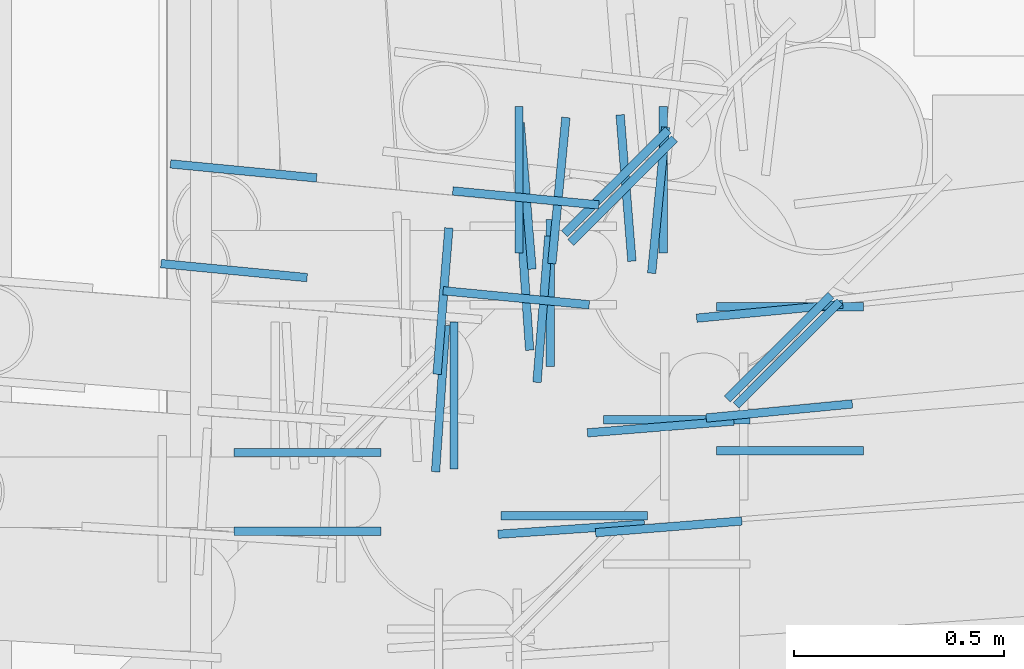
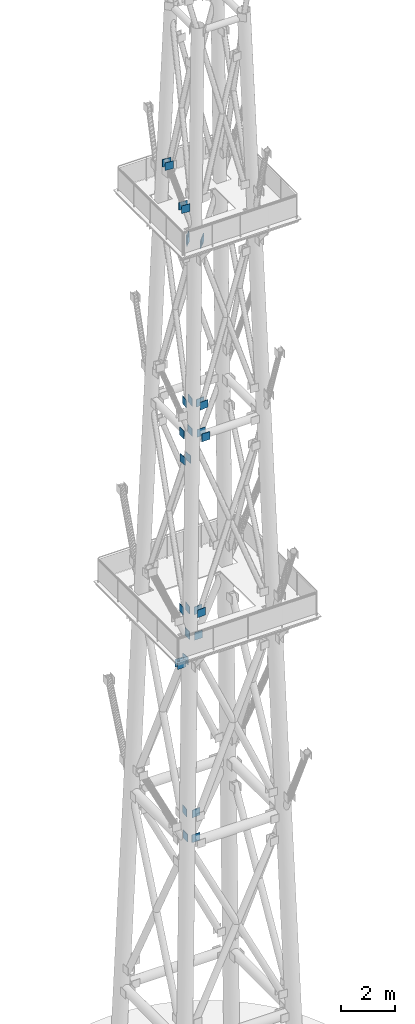
# One storey, part 6 of 25: 31 discrete accessories.
"""IFC4 building model written with IfcOpenShell, lengths in metres."""

from ifc_helpers import new_model, si_unit, direction, frame, origin, origin_2d, place, context, subcontext, project, spatial, rectangle, extrude, element, save


model = new_model("IFC4")

# Units and contexts
model_context = context("Model", 3, precision=1e-05, world=origin(), true_north=direction((0.0, 1.0)))
body_context = subcontext(model_context, "Body", "Model", "MODEL_VIEW")
ifc_project = project(units=[si_unit("LENGTHUNIT", "METRE"), si_unit("AREAUNIT", "SQUARE_METRE"), si_unit("VOLUMEUNIT", "CUBIC_METRE"), si_unit("PLANEANGLEUNIT", "RADIAN"), si_unit("MASSUNIT", "GRAM", prefix="KILO")], contexts=[model_context])

# Site, building, storey
site_placement = place(None, origin())
site = spatial("IfcSite", under=ifc_project, at=site_placement, CompositionType="ELEMENT")
building_placement = place(site_placement, origin())
building = spatial("IfcBuilding", under=site, at=building_placement, Name="Vidyagriha Tower", CompositionType="ELEMENT")
storey_placement = place(building_placement, frame((0.0, 0.0, 318.39990234375)))
storey = spatial("IfcBuildingStorey", under=building, at=storey_placement, Name="RF", CompositionType="ELEMENT", Elevation=318.39990234375)

# Discrete accessories
for number, where, z_axis, x_axis, name in (
    (1, (-1.47998046875, 11.929443359375, 40.650146484375), (0.0, 0.0, 1.0), (0.707106781187, 0.707106781187, 0.0), "End plate ASTM A572 Grade 50 20mm"),
    (2, (-1.070556640625, 11.52001953125, 40.650146484375), (0.0, 0.0, 1.0), (0.707106781187, 0.707106781187, 0.0), "End plate ASTM A572 Grade 50 20mm"),
    (3, (-1.46484375, 11.908447265625, 40.5498046875), (0.0, 0.0, 1.0), (0.707106781187, 0.707106781187, 0.0), "End plate ASTM A572 Grade 50 20mm"),
    (4, (-1.091552734375, 11.53515625, 40.5498046875), (0.0, 0.0, 1.0), (0.707106781187, 0.707106781187, 0.0), "End plate ASTM A572 Grade 50 20mm"),
    (5, (-1.580078125, 11.133056640625, 13.824951171875), (0.0, 0.0, 1.0), (-1.0, 0.0, 0.0), "End plate ASTM A572 Grade 50 20mm"),
    (6, (-1.866943359375, 11.419921875, 13.824951171875), (0.0, 0.0, 1.0), (0.0, -1.0, 0.0), "End plate ASTM A572 Grade 50 20mm"),
    (7, (-1.335693359375, 11.362060546875, 22.824951171875), (0.0, 0.0, 1.0), (-1.0, 0.0, 0.0), "End plate ASTM A572 Grade 50 20mm"),
    (8, (-1.637939453125, 11.664306640625, 22.824951171875), (0.0, 0.0, 1.0), (0.0, -1.0, 0.0), "End plate ASTM A572 Grade 50 20mm"),
    (9, (-1.065673828125, 11.2880859375, 31.824951171875), (0.0, 0.0, 1.0), (-1.0, 0.0, 0.0), "End plate ASTM A572 Grade 50 20mm"),
    (10, (-1.065673828125, 11.632080078125, 31.824951171875), (0.0, 0.0, 1.0), (-1.0, 0.0, 0.0), "End plate ASTM A572 Grade 50 20mm"),
    (11, (-1.367919921875, 11.934326171875, 31.824951171875), (0.0, 0.0, 1.0), (0.0, -1.0, 0.0), "End plate ASTM A572 Grade 50 20mm"),
    (12, (-1.7119140625, 11.934326171875, 31.824951171875), (0.0, 0.0, 1.0), (0.0, -1.0, 0.0), "End plate ASTM A572 Grade 50 20mm"),
    (13, (-1.58740234375, 11.10107421875, 14.988037109375), (0.0, 0.0, 1.0), (-0.997601404512, -0.069220211754, 0.0), "End plate ASTM A572 Grade 50 20mm"),
    (14, (-1.69873046875, 11.70263671875, 21.662109375), (0.0, 0.0, 1.0), (0.069220211754, -0.997601404512, 0.0), "End plate ASTM A572 Grade 50 20mm"),
    (15, (-1.89892578125, 11.41259765625, 14.988037109375), (0.0, 0.0, 1.0), (-0.069244587734, -0.997599712846, 0.0), "End plate ASTM A572 Grade 50 20mm"),
    (16, (-1.35498046875, 11.106689453125, 24.021240234375), (0.0, 0.0, 1.0), (-0.996769493415, -0.080315484172, 0.0), "End plate ASTM A572 Grade 50 20mm"),
    (17, (-1.374267578125, 11.344970703125, 24.021240234375), (0.0, 0.0, 1.0), (-0.996769493415, -0.080315484172, 0.0), "End plate ASTM A572 Grade 50 20mm"),
    (18, (-1.456787109375, 11.914794921875, 30.628662109375), (0.0, 0.0, 1.0), (0.080315484172, -0.996769493415, 0.0), "End plate ASTM A572 Grade 50 20mm"),
    (19, (-1.695068359375, 11.895751953125, 30.628662109375), (0.0, 0.0, 1.0), (0.080315484172, -0.996769493415, 0.0), "End plate ASTM A572 Grade 50 20mm"),
    (20, (-1.655029296875, 11.625732421875, 24.021240234375), (0.0, 0.0, 1.0), (-0.080339839821, -0.99676753064, 0.0), "End plate ASTM A572 Grade 50 20mm"),
    (21, (-1.893310546875, 11.64501953125, 24.021240234375), (0.0, 0.0, 1.0), (-0.080339839821, -0.99676753064, 0.0), "End plate ASTM A572 Grade 50 20mm"),
    (22, (-1.09130859375, 11.383056640625, 33.2255859375), (0.0, 0.0, 1.0), (-0.995415248857, -0.095647699097, 0.0), "End plate ASTM A572 Grade 50 20mm"),
    (23, (-1.1142578125, 11.62109375, 33.2255859375), (0.0, 0.0, 1.0), (-0.995415248857, -0.095647699097, 0.0), "End plate ASTM A572 Grade 50 20mm"),
    (24, (-1.69580078125, 11.89111328125, 42.2255859375), (0.0, 0.0, 1.0), (0.995413913266, -0.095661597706, 0.0), "End plate ASTM A572 Grade 50 20mm"),
    (25, (-1.71875, 11.653076171875, 42.2255859375), (0.0, 0.0, 1.0), (0.995413913266, -0.095661597706, 0.0), "End plate ASTM A572 Grade 50 20mm"),
    (26, (-2.3916015625, 11.7177734375, 44.381103515625), (0.0, 0.0, 1.0), (-0.995413913266, 0.095661597706, 0.0), "End plate ASTM A572 Grade 50 20mm"),
    (27, (-2.368896484375, 11.95556640625, 44.381103515625), (0.0, 0.0, 1.0), (-0.995413913266, 0.095661597706, 0.0), "End plate ASTM A572 Grade 50 20mm"),
    (28, (-1.37890625, 11.8857421875, 33.2255859375), (0.0, 0.0, 1.0), (-0.095647699097, -0.995415248857, 0.0), "End plate ASTM A572 Grade 50 20mm"),
    (29, (-1.616943359375, 11.90869140625, 33.2255859375), (0.0, 0.0, 1.0), (-0.095647699097, -0.995415248857, 0.0), "End plate ASTM A572 Grade 50 20mm"),
):
    element("IfcDiscreteAccessory", number, at=place(storey_placement, frame(where, z_axis=z_axis, x_axis=x_axis)), inside=storey, Name=name, ObjectType="END PLATE", PredefinedType="USERDEFINED", context=body_context, shape_type="SweptSolid", body=[
        extrude(rectangle(XDim=0.35009765625, YDim=0.02001953125, at=origin_2d()), origin(), (0.0, 0.0, 1.0), 0.35009765625),
    ])
for number, where, name in (
    (30, (-2.216552734375, 11.283935546875, 21.96337890625), "End plate ASTM A572 Grade 50 20mm"),
    (31, (-2.216552734375, 11.095947265625, 21.96337890625), "End plate ASTM A572 Grade 50 20mm"),
):
    element("IfcDiscreteAccessory", number, at=place(storey_placement, frame(where)), inside=storey, Name=name, ObjectType="END PLATE", PredefinedType="USERDEFINED", context=body_context, shape_type="SweptSolid", body=[
        extrude(rectangle(XDim=0.35009765625, YDim=0.02001953125, at=origin_2d()), origin(), (0.0, 0.0, 1.0), 0.35009765625),
    ])

save(model, "model.ifc")
